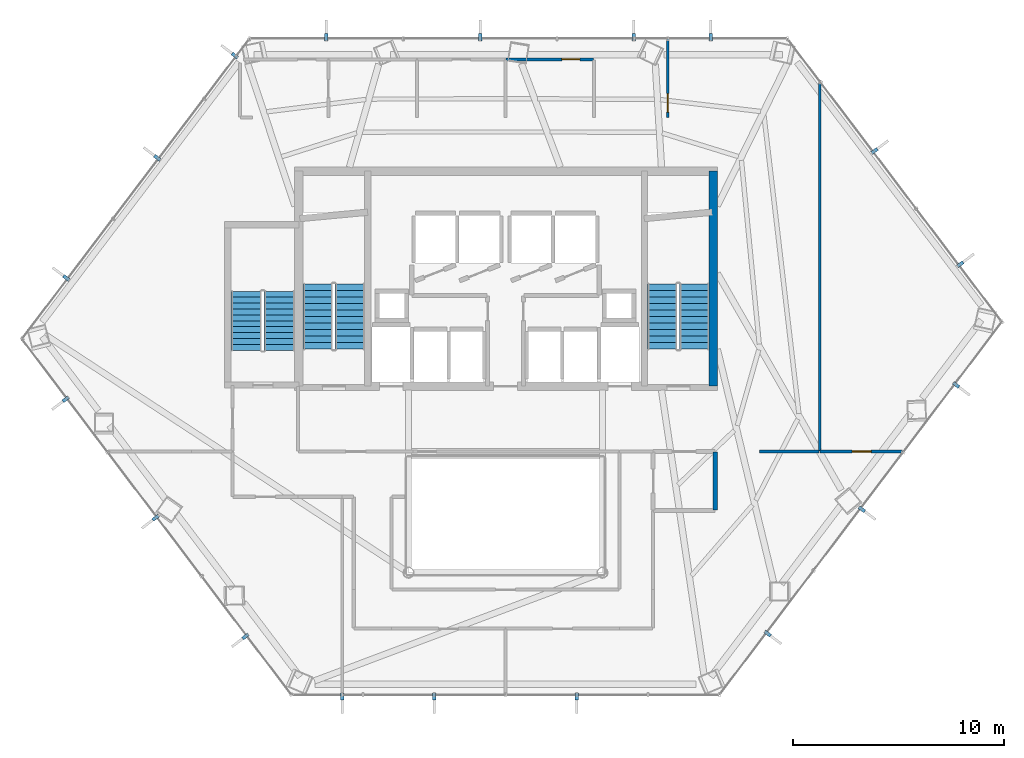
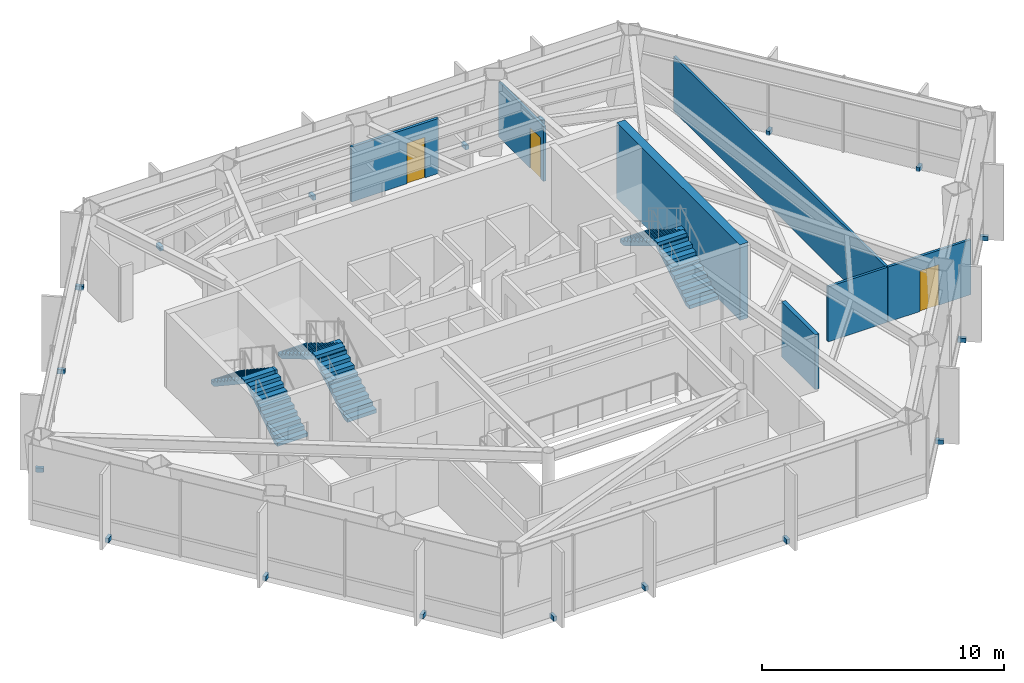
# One storey, part 26 of 27: 18 discrete accessories, 7 walls, 6 stair flights, 3 doors, 3 openings, 3 elements without a shape of their own.
"""IFC4 building model written with IfcOpenShell, lengths in metres."""

from ifc_helpers import new_model, si_unit, direction, frame, frame_2d, origin, origin_2d, place, context, subcontext, project, spatial, polyline, rectangle, outline, extrude, material, layer, layer_set, type_object, element, fill, aggregate, save


model = new_model("IFC4")

# Units and contexts
model_context = context("Model", 3, precision=1e-05, world=origin(), true_north=direction((0.0, 1.0)))
body_context = subcontext(model_context, "Body", "Model", "MODEL_VIEW")
ifc_project = project(units=[si_unit("LENGTHUNIT", "METRE"), si_unit("AREAUNIT", "SQUARE_METRE"), si_unit("VOLUMEUNIT", "CUBIC_METRE"), si_unit("PLANEANGLEUNIT", "RADIAN"), si_unit("MASSUNIT", "GRAM", prefix="KILO")], contexts=[model_context])

# Site, building, storey
site_placement = place(None, origin())
site = spatial("IfcSite", under=ifc_project, at=site_placement, CompositionType="ELEMENT")
building_placement = place(site_placement, origin())
building = spatial("IfcBuilding", under=site, at=building_placement, Name="Zarrinselat Tower", CompositionType="ELEMENT")
storey_placement = place(building_placement, frame((0.0, 0.0, 80.580078125)))
storey = spatial("IfcBuildingStorey", under=building, at=storey_placement, Name="L19", CompositionType="ELEMENT", Elevation=80.580078125)

# Wall
ifc_material_1 = material(Name="Concrete C40/50", Category="concrete")
ifc_layer_1 = layer(ifc_material_1, 0.18994140625)
ifc_layer_set_1 = layer_set([ifc_layer_1], Name="Concrete C40/50")
wall_type_1 = type_object("IfcWallType", Name="WAL-PART-EI120", PredefinedType="PARTITIONING", material=ifc_layer_set_1)
wall_1_placement = place(storey_placement, frame((48.35009765625, 27.3701171875, 0.0), z_axis=(0.0, 0.0, 1.0), x_axis=(0.0, 1.0, 0.0)))
element("IfcWall", 1, at=wall_1_placement, inside=storey, type_object=wall_type_1, Name="L19 Partition Wall 14", PredefinedType="PARTITIONING", context=body_context, shape_type="SweptSolid", body=[
    extrude(rectangle(XDim=2.759765625, YDim=0.18994140625, at=frame_2d((1.3798828125, 0.0))), origin(), (0.0, 0.0, 1.0), 2.77685546875),
])

# Wall, opening, door
ifc_material_2 = material(Name="Fire-Rated Gypsum Board Partition", Category="gypsum")
ifc_layer_2 = layer(ifc_material_2, 0.1201171875)
ifc_layer_set_2 = layer_set([ifc_layer_2], Name="Fire-Rated Gypsum Board Partition")
wall_type_2 = type_object("IfcWallType", Name="WAL-PART-STD", PredefinedType="PARTITIONING", material=ifc_layer_set_2)
wall_2_placement = place(storey_placement, frame((53.320068359375, 30.14990234375, 0.0), z_axis=(0.0, 0.0, 1.0), x_axis=(1.0, 0.0, 0.0)))
wall_2 = element("IfcWall", 2, at=wall_2_placement, inside=storey, type_object=wall_type_2, Name="L19 Partition Wall 44", PredefinedType="PARTITIONING", context=body_context, shape_type="SweptSolid", body=[
    extrude(rectangle(XDim=3.956298828125, YDim=0.1201171875, at=frame_2d((1.97802734375, 0.0))), origin(), (0.0, 0.0, 1.0), 2.77685546875),
])
opening_1_placement = place(wall_2_placement, frame((1.5283203125, 0.0, 0.0)))
opening_1 = element("IfcOpeningElement", 3, at=opening_1_placement, cuts=wall_2, Name="Opening ID-05", PredefinedType="OPENING", context=body_context, shape_type="SweptSolid", body=[
    extrude(rectangle(XDim=0.89990234375, YDim=2.050048828125, at=frame_2d((0.449951171875, 1.02490234375))), frame((0.0, 0.070068359375, 0.0), z_axis=(0.0, -1.0, 0.0), x_axis=(1.0, 0.0, 0.0)), (0.0, 0.0, 1.0), 0.14013671875),
])
ifc_material_3 = material(Name="Extruded Aluminium Alloy EN AW-6063 T6", Category="aluminium")
door_type_1 = type_object("IfcDoorType", Name="DR-INT-STD-920", OperationType="NOTDEFINED", PredefinedType="DOOR", material=ifc_material_3)
door_1_placement = place(opening_1_placement, origin())
door_1 = element("IfcDoor", 4, at=door_1_placement, inside=storey, type_object=door_type_1, Name="L19 Interior Door P44", OperationType="SINGLE_SWING_RIGHT", OverallHeight=2.050048828125, OverallWidth=0.89990234375, PredefinedType="DOOR", context=body_context, shape_type="SweptSolid", body=[
    extrude(rectangle(XDim=0.89990234375, YDim=2.050048828125, at=frame_2d((0.449951171875, 1.02490234375))), frame((0.0, 0.02490234375, 0.0), z_axis=(0.0, -1.0, 0.0), x_axis=(1.0, 0.0, 0.0)), (0.0, 0.0, 1.0), 0.050048828125),
])
fill(opening_1, door_1)

# Walls
wall_3_placement = place(storey_placement, frame((50.449951171875, 30.14990234375, 0.0), z_axis=(0.0, 0.0, 1.0), x_axis=(1.0, 0.0, 0.0)))
element("IfcWall", 5, at=wall_3_placement, inside=storey, type_object=wall_type_2, Name="L19 Partition Wall 45", PredefinedType="PARTITIONING", context=body_context, shape_type="SweptSolid", body=[
    extrude(rectangle(XDim=2.830078125, YDim=0.1201171875, at=frame_2d((1.4150390625, 0.0))), origin(), (0.0, 0.0, 1.0), 2.77685546875),
])
wall_4_placement = place(storey_placement, frame((53.300048828125, 30.169921875, 0.0), z_axis=(0.0, 0.0, 1.0), x_axis=(0.0, 1.0, 0.0)))
element("IfcWall", 6, at=wall_4_placement, inside=storey, type_object=wall_type_2, Name="L19 Partition Wall 48", PredefinedType="PARTITIONING", context=body_context, shape_type="SweptSolid", body=[
    extrude(rectangle(XDim=17.536865234375, YDim=0.1201171875, at=frame_2d((8.7685546875, 0.0))), origin(), (0.0, 0.0, 1.0), 2.77685546875),
])

# Wall, opening, door
wall_5_placement = place(storey_placement, frame((46.10009765625, 46.0, 0.0), z_axis=(0.0, 0.0, 1.0), x_axis=(0.0, 1.0, 0.0)))
wall_5 = element("IfcWall", 7, at=wall_5_placement, inside=storey, type_object=wall_type_2, Name="L19 Partition Wall 49", PredefinedType="PARTITIONING", context=body_context, shape_type="SweptSolid", body=[
    extrude(rectangle(XDim=3.71826171875, YDim=0.1201171875, at=frame_2d((1.859130859375, 0.0))), origin(), (0.0, 0.0, 1.0), 2.77685546875),
])
opening_2_placement = place(wall_5_placement, frame((0.25, 0.0, 0.0)))
opening_2 = element("IfcOpeningElement", 8, at=opening_2_placement, cuts=wall_5, Name="Opening ID-03", PredefinedType="OPENING", context=body_context, shape_type="SweptSolid", body=[
    extrude(rectangle(XDim=0.8798828125, YDim=2.050048828125, at=frame_2d((0.43994140625, 1.02490234375))), frame((0.0, 0.070068359375, 0.0), z_axis=(0.0, -1.0, 0.0), x_axis=(1.0, 0.0, 0.0)), (0.0, 0.0, 1.0), 0.14013671875),
])
ifc_material_4 = material(Name="Steel S355J2", Category="steel")
door_type_2 = type_object("IfcDoorType", Name="DR-INT-FD60-S", OperationType="NOTDEFINED", PredefinedType="DOOR", material=ifc_material_4)
door_2_placement = place(opening_2_placement, origin())
door_2 = element("IfcDoor", 9, at=door_2_placement, inside=storey, type_object=door_type_2, Name="L19 Interior Door P49", OperationType="SINGLE_SWING_LEFT", OverallHeight=2.050048828125, OverallWidth=0.8798828125, PredefinedType="DOOR", context=body_context, shape_type="SweptSolid", body=[
    extrude(rectangle(XDim=0.8798828125, YDim=2.050048828125, at=frame_2d((0.43994140625, 1.02490234375))), frame((0.0, 0.02490234375, 0.0), z_axis=(0.0, -1.0, 0.0), x_axis=(1.0, 0.0, 0.0)), (0.0, 0.0, 1.0), 0.050048828125),
])
fill(opening_2, door_2)

ifc_material_5 = material(Name="Fire-Rated Gypsum Board Partition", Category="gypsum")
ifc_layer_3 = layer(ifc_material_5, 0.135009765625)
ifc_layer_set_3 = layer_set([ifc_layer_3], Name="Fire-Rated Gypsum Board Partition")
wall_type_3 = type_object("IfcWallType", Name="WAL-PART-WET", PredefinedType="PARTITIONING", material=ifc_layer_set_3)
wall_6_placement = place(storey_placement, frame((38.419921875, 48.75, 0.0), z_axis=(0.0, 0.0, 1.0), x_axis=(1.0, 0.0, 0.0)))
wall_6 = element("IfcWall", 10, at=wall_6_placement, inside=storey, type_object=wall_type_3, Name="L19 Partition Wall 40", PredefinedType="PARTITIONING", context=body_context, shape_type="SweptSolid", body=[
    extrude(rectangle(XDim=4.16015625, YDim=0.135009765625, at=frame_2d((2.080078125, 0.0))), origin(), (0.0, 0.0, 1.0), 2.77685546875),
])
opening_3_placement = place(wall_6_placement, frame((2.64990234375, 0.0, 0.0)))
opening_3 = element("IfcOpeningElement", 11, at=opening_3_placement, cuts=wall_6, Name="Opening ID-06", PredefinedType="OPENING", context=body_context, shape_type="SweptSolid", body=[
    extrude(rectangle(XDim=0.860107421875, YDim=2.050048828125, at=frame_2d((0.43017578125, 1.02490234375))), frame((0.0, 0.077392578125, 0.0), z_axis=(0.0, -1.0, 0.0), x_axis=(1.0, 0.0, 0.0)), (0.0, 0.0, 1.0), 0.155029296875),
])
ifc_material_6 = material(Name="Extruded Aluminium Alloy EN AW-6063 T6", Category="aluminium")
door_type_3 = type_object("IfcDoorType", Name="DR-INT-WET-900", OperationType="NOTDEFINED", PredefinedType="DOOR", material=ifc_material_6)
door_3_placement = place(opening_3_placement, origin())
door_3 = element("IfcDoor", 12, at=door_3_placement, inside=storey, type_object=door_type_3, Name="L19 Interior Door P40", OperationType="SINGLE_SWING_LEFT", OverallHeight=2.050048828125, OverallWidth=0.860107421875, PredefinedType="DOOR", context=body_context, shape_type="SweptSolid", body=[
    extrude(rectangle(XDim=0.860107421875, YDim=2.050048828125, at=frame_2d((0.43017578125, 1.02490234375))), frame((0.0, 0.02490234375, 0.0), z_axis=(0.0, -1.0, 0.0), x_axis=(1.0, 0.0, 0.0)), (0.0, 0.0, 1.0), 0.050048828125),
])
fill(opening_3, door_3)

# Wall
ifc_material_7 = material(Name="Concrete C60/75", Category="concrete")
ifc_layer_4 = layer(ifc_material_7, 0.39990234375)
ifc_layer_set_4 = layer_set([ifc_layer_4], Name="Concrete C60/75")
wall_type_4 = type_object("IfcWallType", Name="WAL-SHEAR-400", PredefinedType="SHEAR", material=ifc_layer_set_4)
wall_7_placement = place(storey_placement, frame((48.260009765625, 33.25, 0.0), z_axis=(0.0, 0.0, 1.0), x_axis=(0.0, 1.0, 0.0)))
element("IfcWall", 13, at=wall_7_placement, inside=storey, type_object=wall_type_4, Name="L19 Core Shear Wall E", PredefinedType="SHEAR", context=body_context, shape_type="SweptSolid", body=[
    extrude(rectangle(XDim=10.199951171875, YDim=0.39990234375, at=frame_2d((5.10009765625, 0.0))), origin(), (0.0, 0.0, 1.0), 3.81982421875),
])

# Stair, stair flights
ifc_material_8 = material(Name="Concrete C40/50", Category="concrete")
stair_type_1 = type_object("IfcStairType", Name="STR-CORE-145", PredefinedType="HALF_TURN_STAIR", material=ifc_material_8)
stair_1_placement = place(storey_placement, origin())
stair_1 = element("IfcStair", 14, at=stair_1_placement, inside=storey, type_object=stair_type_1, Name="L19 Podium & Mid-Tower Exit Stair 3", PredefinedType="HALF_TURN_STAIR")
ifc_material_9 = material(Name="Concrete C40/50", Category="concrete")
stair_flight_type_1 = type_object("IfcStairFlightType", Name="STR-FLT-145", PredefinedType="STRAIGHT", material=ifc_material_9)
stair_flight_1_placement = place(storey_placement, frame((27.675048828125, 34.949951171875, 0.0), z_axis=(0.0, 0.0, 1.0), x_axis=(0.0, 1.0, 0.0)))
stair_flight_1 = element("IfcStairFlight", 15, at=stair_flight_1_placement, type_object=stair_flight_type_1, Name="ST-3 flight 1", NumberOfRisers=11, NumberOfTreads=10, PredefinedType="STRAIGHT", RiserHeight=0.185454545, TreadLength=0.28, context=body_context, shape_type="SweptSolid", body=[
    extrude(outline(polyline([(0.0, 0.0), (0.0, 0.185546875), (0.280029296875, 0.185546875), (0.280029296875, 0.370849609375), (0.56005859375, 0.370849609375), (0.56005859375, 0.556396484375), (0.840087890625, 0.556396484375), (0.840087890625, 0.74169921875), (1.1201171875, 0.74169921875), (1.1201171875, 0.92724609375), (1.39990234375, 0.92724609375), (1.39990234375, 1.11279296875), (1.679931640625, 1.11279296875), (1.679931640625, 1.298095703125), (1.9599609375, 1.298095703125), (1.9599609375, 1.483642578125), (2.239990234375, 1.483642578125), (2.239990234375, 1.669189453125), (2.52001953125, 1.669189453125), (2.52001953125, 1.8544921875), (2.800048828125, 1.8544921875), (2.800048828125, 2.0400390625), (2.800048828125, 1.6748046875), (0.271484375, 0.0), (0.0, 0.0)])), frame((0.0, 0.72509765625, 0.0), z_axis=(0.0, -1.0, 0.0), x_axis=(1.0, 0.0, 0.0)), (0.0, 0.0, 1.0), 1.449951171875),
])
stair_flight_2_placement = place(storey_placement, frame((26.10498046875, 37.75, 2.0400390625), z_axis=(0.0, 0.0, 1.0), x_axis=(0.0, -1.0, 0.0)))
stair_flight_2 = element("IfcStairFlight", 16, at=stair_flight_2_placement, type_object=stair_flight_type_1, Name="ST-3 flight 2", NumberOfRisers=11, NumberOfTreads=10, PredefinedType="STRAIGHT", RiserHeight=0.185454545, TreadLength=0.28, context=body_context, shape_type="SweptSolid", body=[
    extrude(outline(polyline([(0.0, 0.0), (0.0, 0.185546875), (0.280029296875, 0.185546875), (0.280029296875, 0.370849609375), (0.56005859375, 0.370849609375), (0.56005859375, 0.556396484375), (0.840087890625, 0.556396484375), (0.840087890625, 0.74169921875), (1.1201171875, 0.74169921875), (1.1201171875, 0.92724609375), (1.39990234375, 0.92724609375), (1.39990234375, 1.11279296875), (1.679931640625, 1.11279296875), (1.679931640625, 1.298095703125), (1.9599609375, 1.298095703125), (1.9599609375, 1.483642578125), (2.239990234375, 1.483642578125), (2.239990234375, 1.669189453125), (2.52001953125, 1.669189453125), (2.52001953125, 1.8544921875), (2.800048828125, 1.8544921875), (2.800048828125, 2.0400390625), (2.800048828125, 1.6748046875), (0.271484375, 0.0), (0.0, 0.0)])), frame((0.0, 0.72509765625, 0.0), z_axis=(0.0, -1.0, 0.0), x_axis=(1.0, 0.0, 0.0)), (0.0, 0.0, 1.0), 1.449951171875),
])
aggregate(stair_1, [stair_flight_1, stair_flight_2])

ifc_material_10 = material(Name="Concrete C40/50", Category="concrete")
stair_type_2 = type_object("IfcStairType", Name="STR-CORE-155", PredefinedType="HALF_TURN_STAIR", material=ifc_material_10)
stair_2_placement = place(storey_placement, origin())
stair_2 = element("IfcStair", 17, at=stair_2_placement, inside=storey, type_object=stair_type_2, Name="L19 Core Exit Stair 1", PredefinedType="HALF_TURN_STAIR")
ifc_material_11 = material(Name="Concrete C40/50", Category="concrete")
stair_flight_type_2 = type_object("IfcStairFlightType", Name="STR-FLT-155", PredefinedType="STRAIGHT", material=ifc_material_11)
stair_flight_3_placement = place(storey_placement, frame((31.02001953125, 35.0, 0.0), z_axis=(0.0, 0.0, 1.0), x_axis=(0.0, 1.0, 0.0)))
stair_flight_3 = element("IfcStairFlight", 18, at=stair_flight_3_placement, type_object=stair_flight_type_2, Name="ST-1 flight 1", NumberOfRisers=11, NumberOfTreads=10, PredefinedType="STRAIGHT", RiserHeight=0.185454545, TreadLength=0.31, context=body_context, shape_type="SweptSolid", body=[
    extrude(outline(polyline([(0.0, 0.0), (0.0, 0.185546875), (0.31005859375, 0.185546875), (0.31005859375, 0.370849609375), (0.6201171875, 0.370849609375), (0.6201171875, 0.556396484375), (0.929931640625, 0.556396484375), (0.929931640625, 0.74169921875), (1.239990234375, 0.74169921875), (1.239990234375, 0.92724609375), (1.550048828125, 0.92724609375), (1.550048828125, 1.11279296875), (1.860107421875, 1.11279296875), (1.860107421875, 1.298095703125), (2.169921875, 1.298095703125), (2.169921875, 1.483642578125), (2.47998046875, 1.483642578125), (2.47998046875, 1.669189453125), (2.7900390625, 1.669189453125), (2.7900390625, 1.8544921875), (3.10009765625, 1.8544921875), (3.10009765625, 2.0400390625), (3.10009765625, 1.679931640625), (0.2919921875, 0.0), (0.0, 0.0)])), frame((0.0, 0.699951171875, 0.0), z_axis=(0.0, -1.0, 0.0), x_axis=(1.0, 0.0, 0.0)), (0.0, 0.0, 1.0), 1.39990234375),
])
stair_flight_4_placement = place(storey_placement, frame((29.5, 38.10009765625, 2.0400390625), z_axis=(0.0, 0.0, 1.0), x_axis=(0.0, -1.0, 0.0)))
stair_flight_4 = element("IfcStairFlight", 19, at=stair_flight_4_placement, type_object=stair_flight_type_2, Name="ST-1 flight 2", NumberOfRisers=11, NumberOfTreads=10, PredefinedType="STRAIGHT", RiserHeight=0.185454545, TreadLength=0.31, context=body_context, shape_type="SweptSolid", body=[
    extrude(outline(polyline([(0.0, 0.0), (0.0, 0.185546875), (0.31005859375, 0.185546875), (0.31005859375, 0.370849609375), (0.6201171875, 0.370849609375), (0.6201171875, 0.556396484375), (0.929931640625, 0.556396484375), (0.929931640625, 0.74169921875), (1.239990234375, 0.74169921875), (1.239990234375, 0.92724609375), (1.550048828125, 0.92724609375), (1.550048828125, 1.11279296875), (1.860107421875, 1.11279296875), (1.860107421875, 1.298095703125), (2.169921875, 1.298095703125), (2.169921875, 1.483642578125), (2.47998046875, 1.483642578125), (2.47998046875, 1.669189453125), (2.7900390625, 1.669189453125), (2.7900390625, 1.8544921875), (3.10009765625, 1.8544921875), (3.10009765625, 2.0400390625), (3.10009765625, 1.679931640625), (0.2919921875, 0.0), (0.0, 0.0)])), frame((0.0, 0.699951171875, 0.0), z_axis=(0.0, -1.0, 0.0), x_axis=(1.0, 0.0, 0.0)), (0.0, 0.0, 1.0), 1.39990234375),
])
aggregate(stair_2, [stair_flight_3, stair_flight_4])

stair_3_placement = place(storey_placement, origin())
stair_3 = element("IfcStair", 20, at=stair_3_placement, inside=storey, type_object=stair_type_2, Name="L19 Core Exit Stair 2", PredefinedType="HALF_TURN_STAIR")
stair_flight_5_placement = place(storey_placement, frame((47.360107421875, 35.0, 0.0), z_axis=(0.0, 0.0, 1.0), x_axis=(0.0, 1.0, 0.0)))
stair_flight_5 = element("IfcStairFlight", 21, at=stair_flight_5_placement, type_object=stair_flight_type_2, Name="ST-2 flight 1", NumberOfRisers=11, NumberOfTreads=10, PredefinedType="STRAIGHT", RiserHeight=0.185454545, TreadLength=0.31, context=body_context, shape_type="SweptSolid", body=[
    extrude(outline(polyline([(0.0, 0.0), (0.0, 0.185546875), (0.31005859375, 0.185546875), (0.31005859375, 0.370849609375), (0.6201171875, 0.370849609375), (0.6201171875, 0.556396484375), (0.929931640625, 0.556396484375), (0.929931640625, 0.74169921875), (1.239990234375, 0.74169921875), (1.239990234375, 0.92724609375), (1.550048828125, 0.92724609375), (1.550048828125, 1.11279296875), (1.860107421875, 1.11279296875), (1.860107421875, 1.298095703125), (2.169921875, 1.298095703125), (2.169921875, 1.483642578125), (2.47998046875, 1.483642578125), (2.47998046875, 1.669189453125), (2.7900390625, 1.669189453125), (2.7900390625, 1.8544921875), (3.10009765625, 1.8544921875), (3.10009765625, 2.0400390625), (3.10009765625, 1.679931640625), (0.2919921875, 0.0), (0.0, 0.0)])), frame((0.0, 0.699951171875, 0.0), z_axis=(0.0, -1.0, 0.0), x_axis=(1.0, 0.0, 0.0)), (0.0, 0.0, 1.0), 1.39990234375),
])
stair_flight_6_placement = place(storey_placement, frame((45.840087890625, 38.10009765625, 2.0400390625), z_axis=(0.0, 0.0, 1.0), x_axis=(0.0, -1.0, 0.0)))
stair_flight_6 = element("IfcStairFlight", 22, at=stair_flight_6_placement, type_object=stair_flight_type_2, Name="ST-2 flight 2", NumberOfRisers=11, NumberOfTreads=10, PredefinedType="STRAIGHT", RiserHeight=0.185454545, TreadLength=0.31, context=body_context, shape_type="SweptSolid", body=[
    extrude(outline(polyline([(0.0, 0.0), (0.0, 0.185546875), (0.31005859375, 0.185546875), (0.31005859375, 0.370849609375), (0.6201171875, 0.370849609375), (0.6201171875, 0.556396484375), (0.929931640625, 0.556396484375), (0.929931640625, 0.74169921875), (1.239990234375, 0.74169921875), (1.239990234375, 0.92724609375), (1.550048828125, 0.92724609375), (1.550048828125, 1.11279296875), (1.860107421875, 1.11279296875), (1.860107421875, 1.298095703125), (2.169921875, 1.298095703125), (2.169921875, 1.483642578125), (2.47998046875, 1.483642578125), (2.47998046875, 1.669189453125), (2.7900390625, 1.669189453125), (2.7900390625, 1.8544921875), (3.10009765625, 1.8544921875), (3.10009765625, 2.0400390625), (3.10009765625, 1.679931640625), (0.2919921875, 0.0), (0.0, 0.0)])), frame((0.0, 0.699951171875, 0.0), z_axis=(0.0, -1.0, 0.0), x_axis=(1.0, 0.0, 0.0)), (0.0, 0.0, 1.0), 1.39990234375),
])
aggregate(stair_3, [stair_flight_5, stair_flight_6])

# Discrete accessories
ifc_material_12 = material(Name="Steel S355J2", Category="steel")
discrete_accessory_type = type_object("IfcDiscreteAccessoryType", Name="ACC-FIN-BRACKET", PredefinedType="BRACKET", material=ifc_material_12)
for number, where, z_axis, x_axis, name in (
    (23, (48.130859375, 49.80322265625, -0.05029296875), (0.0, 0.0, 1.0), (0.0, 1.0, 0.0), "L19 Fin Fixing Bracket CW-L19-E01-01"),
    (24, (44.4853515625, 49.80322265625, -0.05029296875), (0.0, 0.0, 1.0), (0.0, 1.0, 0.0), "L19 Fin Fixing Bracket CW-L19-E01-03"),
    (25, (37.194580078125, 49.80322265625, -0.05029296875), (0.0, 0.0, 1.0), (0.0, 1.0, 0.0), "L19 Fin Fixing Bracket CW-L19-E01-05"),
    (26, (29.903564453125, 49.80322265625, -0.05029296875), (0.0, 0.0, 1.0), (0.0, 1.0, 0.0), "L19 Fin Fixing Bracket CW-L19-E01-07"),
    (27, (25.56201171875, 48.930419921875, -0.05029296875), (0.0, 0.0, 1.0), (-0.797092882627, 0.60385671849, 0.0), "L19 Fin Fixing Bracket CW-L19-E02-01"),
    (28, (21.88525390625, 44.076904296875, -0.05029296875), (0.0, 0.0, 1.0), (-0.797092882627, 0.60385671849, 0.0), "L19 Fin Fixing Bracket CW-L19-E02-03"),
    (29, (17.568115234375, 38.37841796875, -0.05029296875), (0.0, 0.0, 1.0), (-0.797092882627, 0.60385671849, 0.0), "L19 Fin Fixing Bracket CW-L19-E02-05"),
    (30, (17.541259765625, 32.630859375, -0.05029296875), (0.0, 0.0, 1.0), (-0.797094283044, -0.603854869931, 0.0), "L19 Fin Fixing Bracket CW-L19-E03-01"),
    (31, (21.804443359375, 27.003662109375, -0.05029296875), (0.0, 0.0, 1.0), (-0.797094283044, -0.603854869931, 0.0), "L19 Fin Fixing Bracket CW-L19-E03-03"),
    (32, (26.0673828125, 21.376220703125, -0.05029296875), (0.0, 0.0, 1.0), (-0.797094283044, -0.603854869931, 0.0), "L19 Fin Fixing Bracket CW-L19-E03-05"),
    (33, (30.64990234375, 18.534912109375, -0.05029296875), (0.0, 0.0, 1.0), (0.0, -1.0, 0.0), "L19 Fin Fixing Bracket CW-L19-E04-01"),
    (34, (35.018310546875, 18.534912109375, -0.05029296875), (0.0, 0.0, 1.0), (0.0, -1.0, 0.0), "L19 Fin Fixing Bracket CW-L19-E04-03"),
    (35, (41.78173828125, 18.534912109375, -0.05029296875), (0.0, 0.0, 1.0), (0.0, -1.0, 0.0), "L19 Fin Fixing Bracket CW-L19-E04-05"),
    (36, (50.83544921875, 21.511962890625, -0.05029296875), (0.0, 0.0, 1.0), (0.797094119063, -0.603855086386, 0.0), "L19 Fin Fixing Bracket CW-L19-E05-01"),
    (37, (55.30419921875, 27.410888671875, -0.05029296875), (0.0, 0.0, 1.0), (0.797094119063, -0.603855086386, 0.0), "L19 Fin Fixing Bracket CW-L19-E05-03"),
    (38, (59.773193359375, 33.309814453125, -0.05029296875), (0.0, 0.0, 1.0), (0.797094119063, -0.603855086386, 0.0), "L19 Fin Fixing Bracket CW-L19-E05-05"),
    (39, (59.972412109375, 39.0302734375, -0.05029296875), (0.0, 0.0, 1.0), (0.797093013736, 0.603856545426, 0.0), "L19 Fin Fixing Bracket CW-L19-E06-01"),
    (40, (55.902099609375, 44.40283203125, -0.05029296875), (0.0, 0.0, 1.0), (0.797093013736, 0.603856545426, 0.0), "L19 Fin Fixing Bracket CW-L19-E06-03"),
):
    element("IfcDiscreteAccessory", number, at=place(storey_placement, frame(where, z_axis=z_axis, x_axis=x_axis)), inside=storey, type_object=discrete_accessory_type, Name=name, PredefinedType="BRACKET", context=body_context, shape_type="SweptSolid", body=[
        extrude(rectangle(XDim=0.340087890625, YDim=0.159912109375, at=origin_2d()), origin(), (0.0, 0.0, 1.0), 0.219970703125),
    ])

save(model, "model.ifc")
